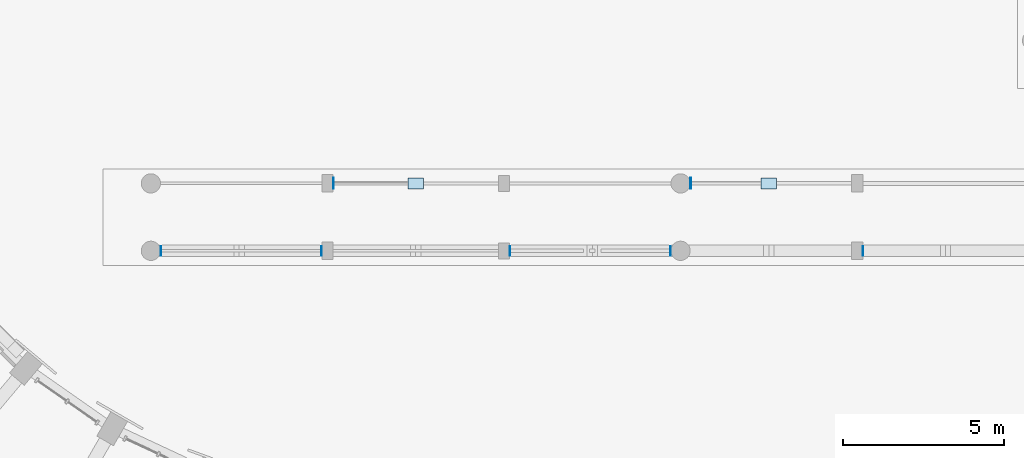
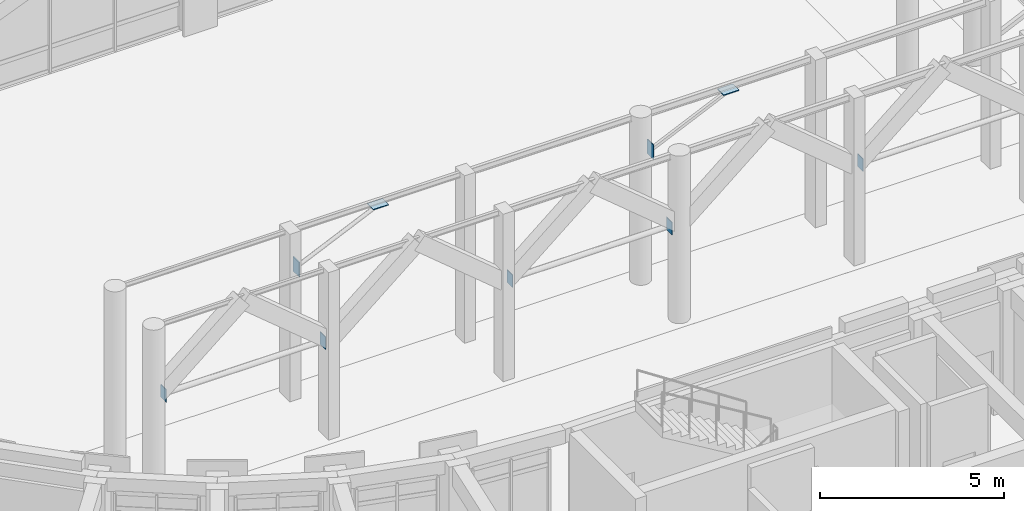
# One storey, part 75 of 135: 9 plates.
"""IFC4 building model written with IfcOpenShell, lengths in metres."""

from ifc_helpers import new_model, si_unit, direction, frame, origin, origin_2d, place, context, subcontext, project, spatial, rectangle, extrude, material, layer, layer_set, type_object, element, save


model = new_model("IFC4")

# Units and contexts
model_context = context("Model", 3, precision=1e-05, world=origin(), true_north=direction((0.0, 1.0)))
body_context = subcontext(model_context, "Body", "Model", "MODEL_VIEW")
ifc_project = project(units=[si_unit("LENGTHUNIT", "METRE"), si_unit("AREAUNIT", "SQUARE_METRE"), si_unit("VOLUMEUNIT", "CUBIC_METRE"), si_unit("PLANEANGLEUNIT", "RADIAN"), si_unit("MASSUNIT", "GRAM", prefix="KILO")], contexts=[model_context])

# Site, building, storey
site_placement = place(None, origin())
site = spatial("IfcSite", under=ifc_project, at=site_placement, CompositionType="ELEMENT")
building_placement = place(site_placement, origin())
building = spatial("IfcBuilding", under=site, at=building_placement, Name="Kiranvali Square Residences", CompositionType="ELEMENT")
storey_placement = place(building_placement, origin())
storey = spatial("IfcBuildingStorey", under=building, at=storey_placement, Name="L00", CompositionType="ELEMENT", Elevation=0.0)

# Plates
ifc_material = material(Name="Structural steel E350", Category="steel")
ifc_layer_1 = layer(ifc_material, 0.02001953125)
ifc_layer_set_1 = layer_set([ifc_layer_1], Name="Structural steel E350")
plate_type_1 = type_object("IfcPlateType", Name="PLT-ENDCAP-20", PredefinedType="SHEET", material=ifc_layer_set_1)
for number, where, z_axis, x_axis, name in (
    (1, (40.31103515625, 37.449951171875, 2.93994140625), (0.0, 0.0, 1.0), (1.0, 0.0, 0.0), "Colonnade tie-rod end plate ARC-GDN-S-1A"),
    (2, (45.31396484375, 37.449951171875, 2.93994140625), (0.0, 0.0, 1.0), (1.0, 0.0, 0.0), "Colonnade tie-rod end plate ARC-GDN-S-1B"),
    (3, (51.18603515625, 37.449951171875, 2.93994140625), (0.0, 0.0, 1.0), (1.0, 0.0, 0.0), "Colonnade tie-rod end plate ARC-GDN-S-3A"),
    (4, (56.18896484375, 37.449951171875, 2.93994140625), (0.0, 0.0, 1.0), (1.0, 0.0, 0.0), "Colonnade tie-rod end plate ARC-GDN-S-3B"),
    (5, (62.18603515625, 37.449951171875, 2.93994140625), (0.0, 0.0, 1.0), (1.0, 0.0, 0.0), "Colonnade tie-rod end plate ARC-GDN-S-5A"),
):
    element("IfcPlate", number, at=place(storey_placement, frame(where, z_axis=z_axis, x_axis=x_axis)), inside=storey, type_object=plate_type_1, Name=name, PredefinedType="SHEET", context=body_context, shape_type="SweptSolid", body=[
        extrude(rectangle(XDim=0.02001953125, YDim=0.300048828125, at=origin_2d()), origin(), (0.0, 0.0, 1.0), 0.419921875),
    ])
ifc_layer_2 = layer(ifc_material, 0.02490234375)
ifc_layer_set_2 = layer_set([ifc_layer_2], Name="Structural steel E350")
plate_type_2 = type_object("IfcPlateType", Name="PLT-GUSSET-25", PredefinedType="USERDEFINED", material=ifc_layer_set_2)
plate_1_placement = place(storey_placement, frame((45.68896484375, 39.550048828125, 3.9599609375), z_axis=(0.0, 0.0, 1.0), x_axis=(1.0, 0.0, 0.0)))
element("IfcPlate", 6, at=plate_1_placement, inside=storey, type_object=plate_type_2, Name="Colonnade knee-brace lower gusset ARC-GDN-S-2A", ObjectType="GUSSET PLATE", PredefinedType="USERDEFINED", context=body_context, shape_type="SweptSolid", body=[
    extrude(rectangle(XDim=0.02490234375, YDim=0.340087890625, at=origin_2d()), origin(), (0.0, 0.0, 1.0), 0.47998046875),
])
plate_2_placement = place(storey_placement, frame((48.25, 39.550048828125, 5.358642578125), z_axis=(0.0, 0.0, 1.0), x_axis=(1.0, 0.0, 0.0)))
element("IfcPlate", 7, at=plate_2_placement, inside=storey, type_object=plate_type_2, Name="Colonnade knee-brace upper gusset ARC-GDN-S-2B", ObjectType="GUSSET PLATE", PredefinedType="USERDEFINED", context=body_context, shape_type="SweptSolid", body=[
    extrude(rectangle(XDim=0.47998046875, YDim=0.340087890625, at=origin_2d()), origin(), (0.0, 0.0, 1.0), 0.02490234375),
])
plate_3_placement = place(storey_placement, frame((56.81396484375, 39.550048828125, 3.9599609375), z_axis=(0.0, 0.0, 1.0), x_axis=(1.0, 0.0, 0.0)))
element("IfcPlate", 8, at=plate_3_placement, inside=storey, type_object=plate_type_2, Name="Colonnade knee-brace lower gusset ARC-GDN-S-4A", ObjectType="GUSSET PLATE", PredefinedType="USERDEFINED", context=body_context, shape_type="SweptSolid", body=[
    extrude(rectangle(XDim=0.02490234375, YDim=0.340087890625, at=origin_2d()), origin(), (0.0, 0.0, 1.0), 0.47998046875),
])
plate_4_placement = place(storey_placement, frame((59.25, 39.550048828125, 5.30859375), z_axis=(0.0, 0.0, 1.0), x_axis=(1.0, 0.0, 0.0)))
element("IfcPlate", 9, at=plate_4_placement, inside=storey, type_object=plate_type_2, Name="Colonnade knee-brace upper gusset ARC-GDN-S-4B", ObjectType="GUSSET PLATE", PredefinedType="USERDEFINED", context=body_context, shape_type="SweptSolid", body=[
    extrude(rectangle(XDim=0.47998046875, YDim=0.340087890625, at=origin_2d()), origin(), (0.0, 0.0, 1.0), 0.02490234375),
])

save(model, "model.ifc")
